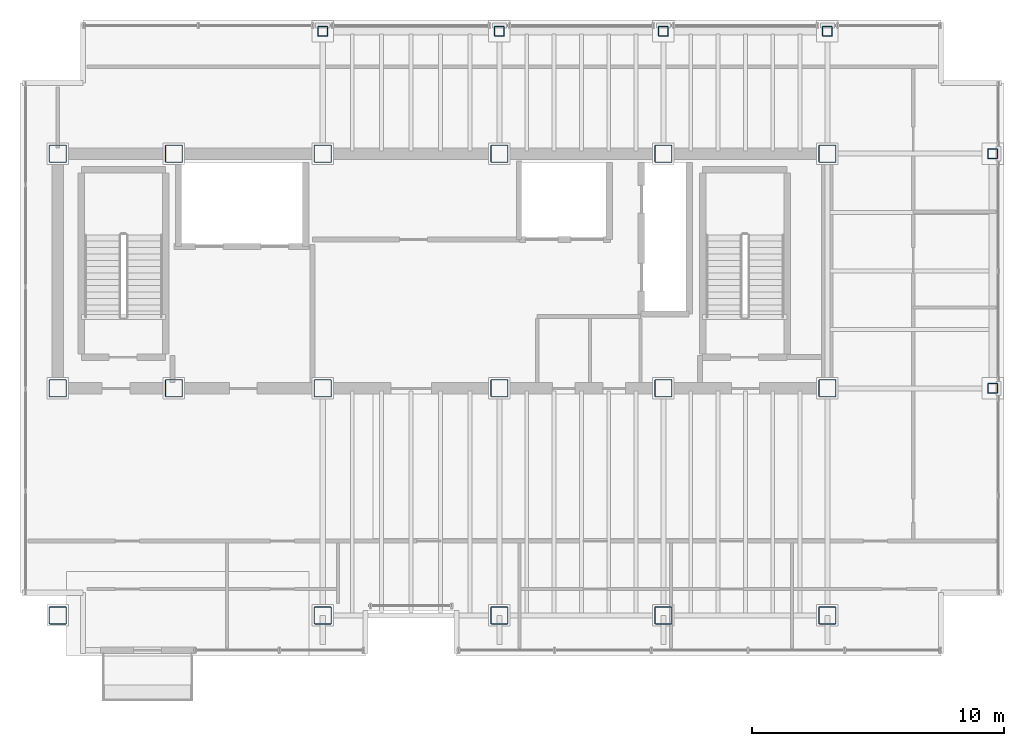
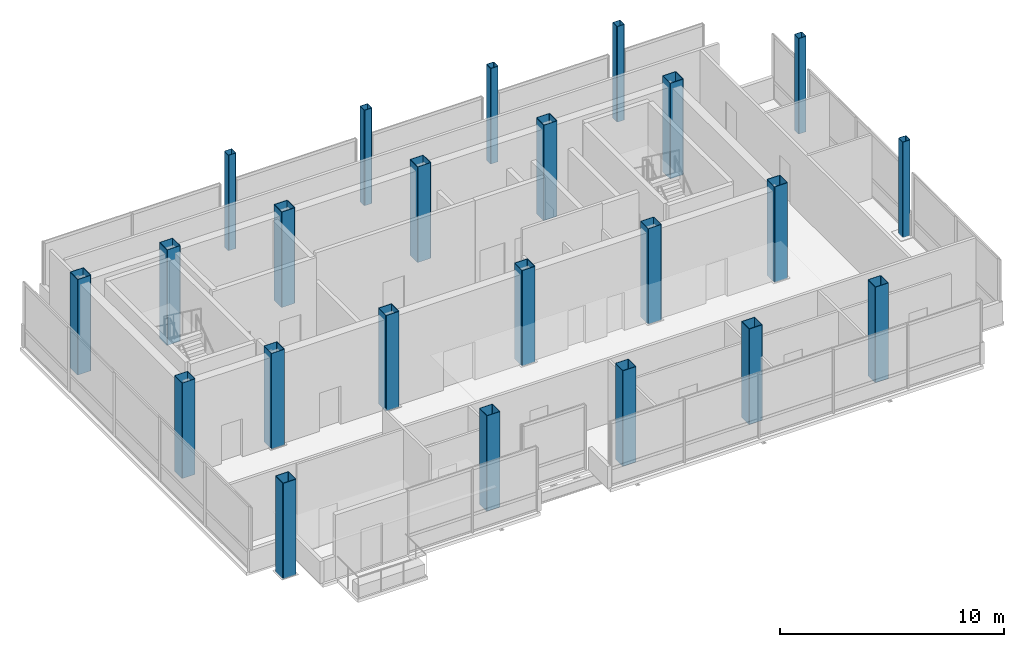
# One storey, part 1 of 17: 23 columns.
"""IFC4 building model written with IfcOpenShell, lengths in metres."""

from ifc_helpers import new_model, si_unit, direction, frame, origin, origin_2d, place, context, subcontext, project, spatial, hollow_rectangle, extrude, material, material_profile, profile_set, type_object, element, save


model = new_model("IFC4")

# Units and contexts
model_context = context("Model", 3, precision=1e-05, world=origin(), true_north=direction((0.0, 1.0)))
body_context = subcontext(model_context, "Body", "Model", "MODEL_VIEW")
ifc_project = project(units=[si_unit("LENGTHUNIT", "METRE"), si_unit("AREAUNIT", "SQUARE_METRE"), si_unit("VOLUMEUNIT", "CUBIC_METRE"), si_unit("PLANEANGLEUNIT", "RADIAN"), si_unit("MASSUNIT", "GRAM", prefix="KILO")], contexts=[model_context])

# Site, building, storey
site_placement = place(None, origin())
site = spatial("IfcSite", under=ifc_project, at=site_placement, CompositionType="ELEMENT")
building_placement = place(site_placement, origin())
building = spatial("IfcBuilding", under=site, at=building_placement, Name="Noeulbin Bourse Tower", CompositionType="ELEMENT")
storey_placement = place(building_placement, frame((0.0, 0.0, 300.800048828125)))
storey = spatial("IfcBuildingStorey", under=building, at=storey_placement, Name="L75", CompositionType="ELEMENT", Elevation=300.800048828125)

# Columns
ifc_material = material(Name="Steel S355", Category="steel")
ifc_material_profile_1 = material_profile(ifc_material, hollow_rectangle(XDim=0.39990234375, YDim=0.39990234375, WallThickness=0.02001953125, InnerFilletRadius=0.02001953125, OuterFilletRadius=0.0400390625, at=origin_2d()), Name="SHS-400x400x20", Category="LoadBearing")
ifc_profile_set_1 = profile_set([ifc_material_profile_1], Name="Steel S355")
column_type_1 = type_object("IfcColumnType", Name="COL-PER-Z4", PredefinedType="COLUMN", material=ifc_profile_set_1)
for number, where, z_axis, x_axis, name in (
    (1, (24.0, 43.14990234375, 0.0), (0.0, 0.0, 1.0), (1.0, 0.0, 0.0), "Tower Perimeter Column COL-PER-Z4 01"),
    (2, (31.0, 43.14990234375, 0.0), (0.0, 0.0, 1.0), (1.0, 0.0, 0.0), "Tower Perimeter Column COL-PER-Z4 02"),
    (3, (37.5, 43.14990234375, 0.0), (0.0, 0.0, 1.0), (1.0, 0.0, 0.0), "Tower Perimeter Column COL-PER-Z4 03"),
    (4, (44.0, 43.14990234375, 0.0), (0.0, 0.0, 1.0), (1.0, 0.0, 0.0), "Tower Perimeter Column COL-PER-Z4 04"),
    (5, (50.550048828125, 29.0, 0.0), (0.0, 0.0, 1.0), (1.0, 0.0, 0.0), "Tower Perimeter Column COL-PER-Z4 05"),
    (6, (50.550048828125, 38.300048828125, 0.0), (0.0, 0.0, 1.0), (1.0, 0.0, 0.0), "Tower Perimeter Column COL-PER-Z4 06"),
):
    element("IfcColumn", number, at=place(storey_placement, frame(where, z_axis=z_axis, x_axis=x_axis)), inside=storey, type_object=column_type_1, Name=name, PredefinedType="COLUMN", context=body_context, shape_type="SweptSolid", body=[
        extrude(hollow_rectangle(XDim=0.39990234375, YDim=0.39990234375, WallThickness=0.02001953125, InnerFilletRadius=0.02001953125, OuterFilletRadius=0.0400390625, at=origin_2d()), origin(), (0.0, 0.0, 1.0), 5.199951171875),
    ])
ifc_material_profile_2 = material_profile(ifc_material, hollow_rectangle(XDim=0.699951171875, YDim=0.699951171875, WallThickness=0.028076171875, InnerFilletRadius=0.013916015625, OuterFilletRadius=0.0419921875, at=origin_2d()), Name="BOX-700x700x28", Category="LoadBearing")
ifc_profile_set_2 = profile_set([ifc_material_profile_2], Name="Steel S355")
column_type_2 = type_object("IfcColumnType", Name="COL-TRK-Z4", PredefinedType="COLUMN", material=ifc_profile_set_2)
for number, where, z_axis, x_axis, name in (
    (7, (13.5, 29.0, 0.0), (0.0, 0.0, 1.0), (1.0, 0.0, 0.0), "Tower Trunk Mega-Column COL-TRK-Z4 01"),
    (8, (13.5, 38.300048828125, 0.0), (0.0, 0.0, 1.0), (1.0, 0.0, 0.0), "Tower Trunk Mega-Column COL-TRK-Z4 02"),
    (9, (18.10009765625, 29.0, 0.0), (0.0, 0.0, 1.0), (1.0, 0.0, 0.0), "Tower Trunk Mega-Column COL-TRK-Z4 03"),
    (10, (18.10009765625, 38.300048828125, 0.0), (0.0, 0.0, 1.0), (1.0, 0.0, 0.0), "Tower Trunk Mega-Column COL-TRK-Z4 04"),
    (11, (24.0, 29.0, 0.0), (0.0, 0.0, 1.0), (1.0, 0.0, 0.0), "Tower Trunk Mega-Column COL-TRK-Z4 05"),
    (12, (24.0, 38.300048828125, 0.0), (0.0, 0.0, 1.0), (1.0, 0.0, 0.0), "Tower Trunk Mega-Column COL-TRK-Z4 06"),
    (13, (31.0, 29.0, 0.0), (0.0, 0.0, 1.0), (1.0, 0.0, 0.0), "Tower Trunk Mega-Column COL-TRK-Z4 07"),
    (14, (31.0, 38.300048828125, 0.0), (0.0, 0.0, 1.0), (1.0, 0.0, 0.0), "Tower Trunk Mega-Column COL-TRK-Z4 08"),
    (15, (37.5, 29.0, 0.0), (0.0, 0.0, 1.0), (1.0, 0.0, 0.0), "Tower Trunk Mega-Column COL-TRK-Z4 09"),
    (16, (37.5, 38.300048828125, 0.0), (0.0, 0.0, 1.0), (1.0, 0.0, 0.0), "Tower Trunk Mega-Column COL-TRK-Z4 10"),
    (17, (44.0, 29.0, 0.0), (0.0, 0.0, 1.0), (1.0, 0.0, 0.0), "Tower Trunk Mega-Column COL-TRK-Z4 11"),
    (18, (44.0, 38.300048828125, 0.0), (0.0, 0.0, 1.0), (1.0, 0.0, 0.0), "Tower Trunk Mega-Column COL-TRK-Z4 12"),
    (19, (13.5, 20.0, 0.0), (0.0, 0.0, 1.0), (1.0, 0.0, 0.0), "Tower Trunk Mega-Column COL-TRK-Z4 13"),
    (20, (24.0, 20.0, 0.0), (0.0, 0.0, 1.0), (1.0, 0.0, 0.0), "Tower Trunk Mega-Column COL-TRK-Z4 14"),
    (21, (31.0, 20.0, 0.0), (0.0, 0.0, 1.0), (1.0, 0.0, 0.0), "Tower Trunk Mega-Column COL-TRK-Z4 15"),
    (22, (37.5, 20.0, 0.0), (0.0, 0.0, 1.0), (1.0, 0.0, 0.0), "Tower Trunk Mega-Column COL-TRK-Z4 16"),
    (23, (44.0, 20.0, 0.0), (0.0, 0.0, 1.0), (1.0, 0.0, 0.0), "Tower Trunk Mega-Column COL-TRK-Z4 17"),
):
    element("IfcColumn", number, at=place(storey_placement, frame(where, z_axis=z_axis, x_axis=x_axis)), inside=storey, type_object=column_type_2, Name=name, PredefinedType="COLUMN", context=body_context, shape_type="SweptSolid", body=[
        extrude(hollow_rectangle(XDim=0.699951171875, YDim=0.699951171875, WallThickness=0.028076171875, InnerFilletRadius=0.013916015625, OuterFilletRadius=0.0419921875, at=origin_2d()), origin(), (0.0, 0.0, 1.0), 5.199951171875),
    ])

save(model, "model.ifc")
